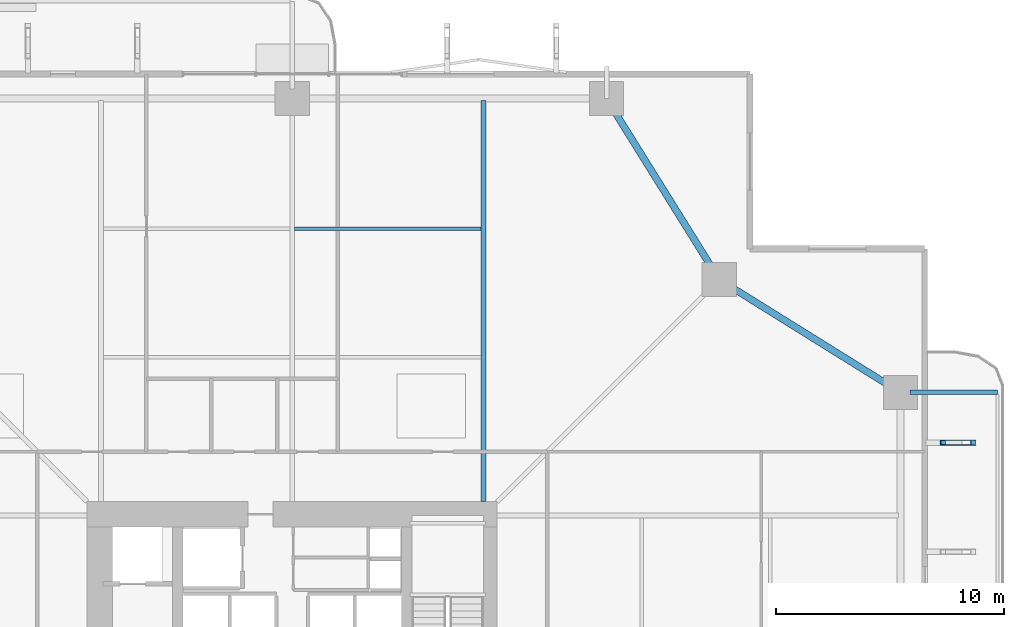
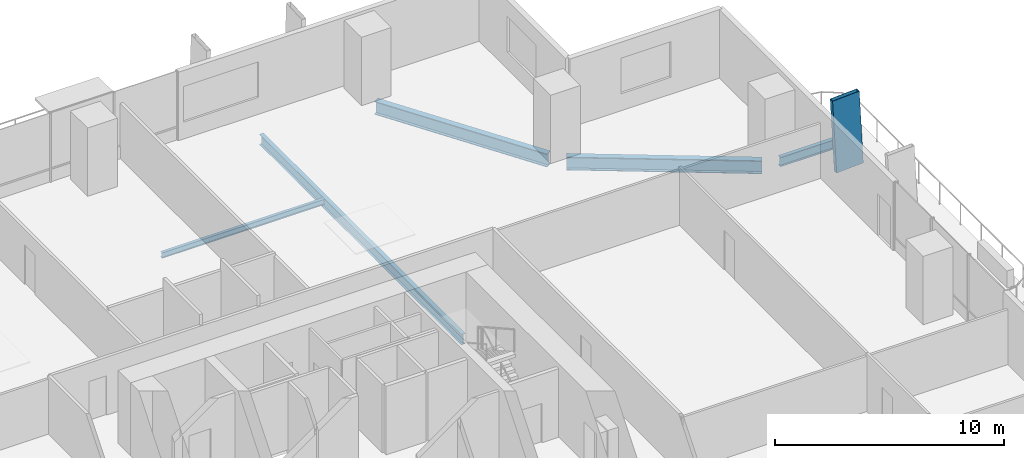
# One storey, part 14 of 24: 5 beams, 1 member.
"""IFC4 building model written with IfcOpenShell, lengths in metres."""

from ifc_helpers import new_model, si_unit, direction, frame, origin, origin_2d, place, context, subcontext, project, spatial, hollow_rectangle, i_section, extrude, material, material_profile, profile_set, type_object, element, save


model = new_model("IFC4")

# Units and contexts
model_context = context("Model", 3, precision=1e-05, world=origin(), true_north=direction((0.0, 1.0)))
body_context = subcontext(model_context, "Body", "Model", "MODEL_VIEW")
ifc_project = project(units=[si_unit("LENGTHUNIT", "METRE"), si_unit("AREAUNIT", "SQUARE_METRE"), si_unit("VOLUMEUNIT", "CUBIC_METRE"), si_unit("PLANEANGLEUNIT", "RADIAN"), si_unit("MASSUNIT", "GRAM", prefix="KILO")], contexts=[model_context])

# Site, building, storey
site_placement = place(None, origin())
site = spatial("IfcSite", under=ifc_project, at=site_placement, CompositionType="ELEMENT")
building_placement = place(site_placement, origin())
building = spatial("IfcBuilding", under=site, at=building_placement, Name="Belovzor Exchange Tower", CompositionType="ELEMENT")
storey_placement = place(building_placement, frame((0.0, 0.0, 69.0)))
storey = spatial("IfcBuildingStorey", under=building, at=storey_placement, Name="L16", CompositionType="ELEMENT", Elevation=69.0)

# Member
ifc_material_1 = material(Name="Extruded Architectural Terracotta on Steel S355 Carrier", Category="masonry")
ifc_material_profile_1 = material_profile(ifc_material_1, hollow_rectangle(XDim=0.219970703125, YDim=1.35009765625, WallThickness=0.013916015625, at=origin_2d()))
ifc_profile_set_1 = profile_set([ifc_material_profile_1], Name="Extruded Architectural Terracotta on Steel S355 Carrier")
member_type = type_object("IfcMemberType", Name="Base Arc Sweeping Terracotta Pylon Fin 1450", PredefinedType="USERDEFINED", material=ifc_profile_set_1)
member_placement = place(storey_placement, frame((58.132080078125, 40.39990234375, -0.25), z_axis=(-0.052512896371, 0.0, 0.998620245997), x_axis=(0.0, -1.0, 0.0)))
element("IfcMember", 1, at=member_placement, inside=storey, type_object=member_type, Name="FIN-TC145 Terracotta Facade Fin L16 E4", ObjectType="FIN", PredefinedType="USERDEFINED", context=body_context, shape_type="SweptSolid", body=[
    extrude(hollow_rectangle(XDim=0.219970703125, YDim=1.35009765625, WallThickness=0.013916015625, at=origin_2d()), origin(), (0.0, 0.0, 1.0), 3.9052734375),
])

# Beams
ifc_material_2 = material(Name="Steel S355", Category="steel")
ifc_material_profile_2 = material_profile(ifc_material_2, i_section(OverallWidth=0.199951171875, OverallDepth=0.5, WebThickness=0.01025390625, FlangeThickness=0.01611328125, at=origin_2d()))
ifc_profile_set_2 = profile_set([ifc_material_profile_2], Name="Steel S355")
beam_type_1 = type_object("IfcBeamType", Name="Planted Balcony Cantilever Beam IPE 500", PredefinedType="BEAM", material=ifc_profile_set_2)
beam_1_placement = place(storey_placement, frame((55.9130859375, 42.60009765625, -0.5), z_axis=(1.0, 0.0, 0.0), x_axis=(0.0, 1.0, 0.0)))
element("IfcBeam", 2, at=beam_1_placement, inside=storey, type_object=beam_type_1, Name="BC-500 Planted Balcony Cantilever Beam IPE 500", PredefinedType="BEAM", context=body_context, shape_type="SweptSolid", body=[
    extrude(i_section(OverallWidth=0.199951171875, OverallDepth=0.5, WebThickness=0.01025390625, FlangeThickness=0.01611328125, at=origin_2d()), origin(), (0.0, 0.0, 1.0), 3.849853515625),
])
ifc_material_3 = material(Name="Steel S355", Category="steel")
ifc_material_profile_3 = material_profile(ifc_material_3, i_section(OverallWidth=0.14990234375, OverallDepth=0.300048828125, WebThickness=0.007080078125, FlangeThickness=0.0107421875, at=origin_2d()))
ifc_profile_set_3 = profile_set([ifc_material_profile_3], Name="Steel S355")
beam_type_2 = type_object("IfcBeamType", Name="Secondary Trim Floor Joist IPE 300", PredefinedType="BEAM", material=ifc_profile_set_3)
beam_2_placement = place(storey_placement, frame((28.905029296875, 49.784912109375, -0.39990234375), z_axis=(1.0, 0.0, 0.0), x_axis=(0.0, 1.0, 0.0)))
element("IfcBeam", 3, at=beam_2_placement, inside=storey, type_object=beam_type_2, Name="FJ-300 Secondary Trim Floor Joist IPE 300", PredefinedType="BEAM", context=body_context, shape_type="SweptSolid", body=[
    extrude(i_section(OverallWidth=0.14990234375, OverallDepth=0.300048828125, WebThickness=0.007080078125, FlangeThickness=0.0107421875, at=origin_2d()), origin(), (0.0, 0.0, 1.0), 8.18994140625),
])
ifc_material_4 = material(Name="Steel S355", Category="steel")
ifc_material_profile_4 = material_profile(ifc_material_4, i_section(OverallWidth=0.300048828125, OverallDepth=0.699951171875, WebThickness=0.01708984375, FlangeThickness=0.031982421875, at=origin_2d()))
ifc_profile_set_4 = profile_set([ifc_material_profile_4], Name="Steel S355")
beam_type_3 = type_object("IfcBeamType", Name="Zone 1 Primary Perimeter Girder HEB 700", PredefinedType="BEAM", material=ifc_profile_set_4)
for number, where, z_axis, x_axis, name in (
    (4, (55.14990234375, 42.818115234375, -0.60009765625), (-0.848909251292, 0.528538629686, 0.0), (-0.528538629686, -0.848909251292, 0.0), "FG-Z1 Zone 1 Primary Perimeter Girder HEB 700"),
    (5, (47.33203125, 47.89990234375, -0.60009765625), (-0.528538629686, 0.848909251292, 0.0), (-0.848909251292, -0.528538629686, 0.0), "FG-Z1 Zone 1 Primary Perimeter Girder HEB 700"),
):
    element("IfcBeam", number, at=place(storey_placement, frame(where, z_axis=z_axis, x_axis=x_axis)), inside=storey, type_object=beam_type_3, Name=name, PredefinedType="BEAM", context=body_context, shape_type="SweptSolid", body=[
        extrude(i_section(OverallWidth=0.300048828125, OverallDepth=0.699951171875, WebThickness=0.01708984375, FlangeThickness=0.031982421875, at=origin_2d()), origin(), (0.0, 0.0, 1.0), 8.540283203125),
    ])
ifc_material_5 = material(Name="Steel S355", Category="steel")
ifc_material_profile_5 = material_profile(ifc_material_5, i_section(OverallWidth=0.2099609375, OverallDepth=0.550048828125, WebThickness=0.010986328125, FlangeThickness=0.01708984375, at=origin_2d()))
ifc_profile_set_5 = profile_set([ifc_material_profile_5], Name="Steel S355")
beam_type_4 = type_object("IfcBeamType", Name="Zone 1 Radial Composite Floor Beam IPE 550", PredefinedType="BEAM", material=ifc_profile_set_5)
beam_3_placement = place(storey_placement, frame((37.199951171875, 37.800048828125, -0.52490234375), z_axis=(0.0, 1.0, 0.0), x_axis=(-1.0, 0.0, 0.0)))
element("IfcBeam", 6, at=beam_3_placement, inside=storey, type_object=beam_type_4, Name="FB-550 Zone 1 Radial Composite Floor Beam IPE 550", PredefinedType="BEAM", context=body_context, shape_type="SweptSolid", body=[
    extrude(i_section(OverallWidth=0.2099609375, OverallDepth=0.550048828125, WebThickness=0.010986328125, FlangeThickness=0.01708984375, at=origin_2d()), origin(), (0.0, 0.0, 1.0), 17.625),
])

save(model, "model.ifc")
